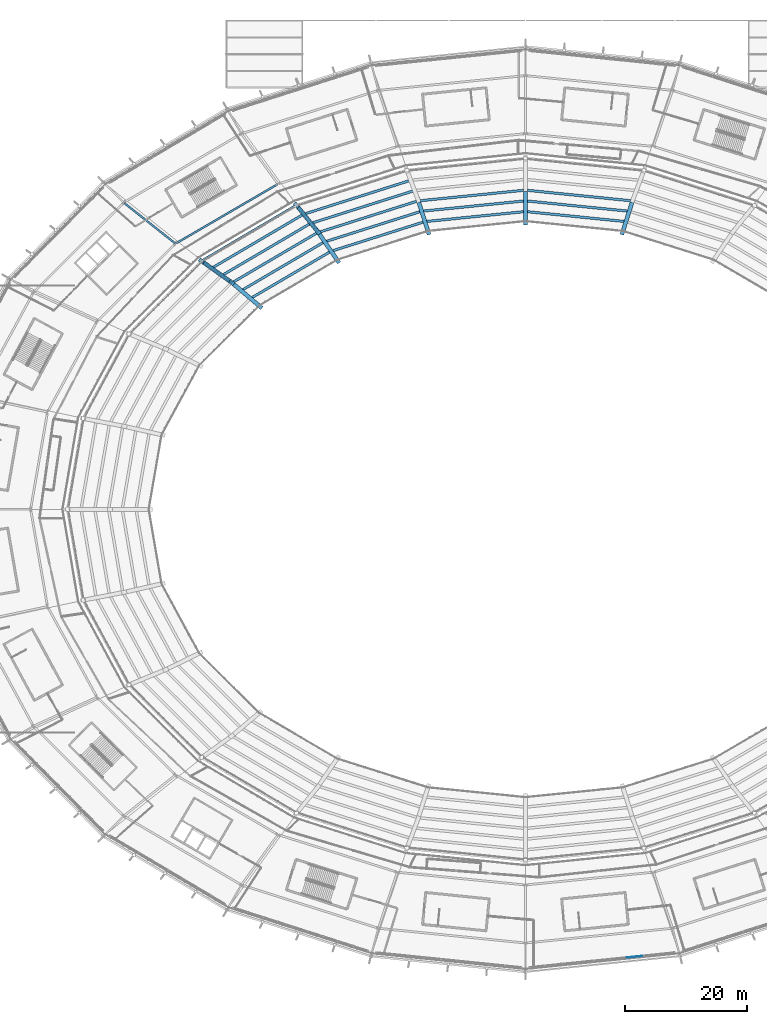
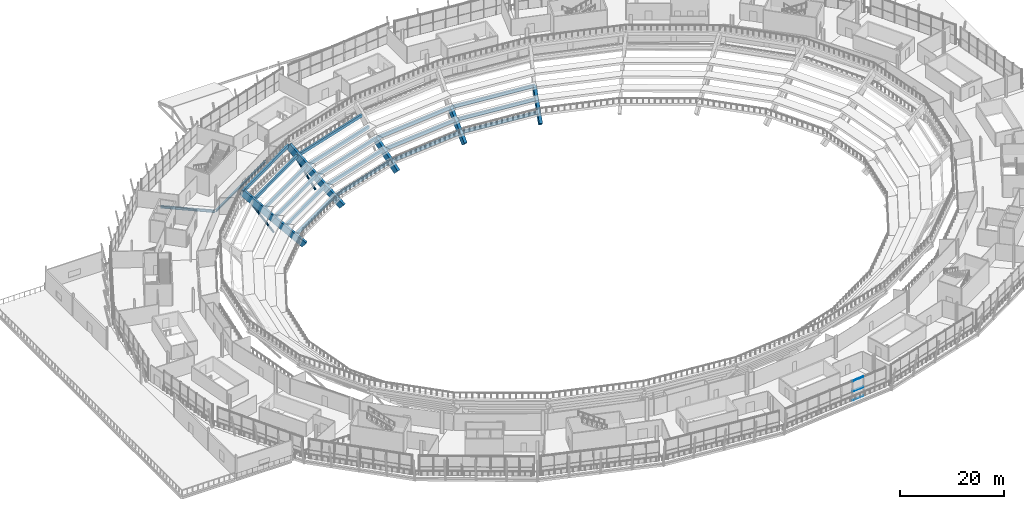
# One storey, part 34 of 126: 26 beams, 5 members, 1 element without a shape of its own.
"""IFC4 building model written with IfcOpenShell, lengths in metres."""

from ifc_helpers import new_model, si_unit, direction, frame, origin, origin_2d, place, context, subcontext, project, spatial, rectangle, hollow_circle, i_section, extrude, material, material_profile, profile_set, type_object, element, aggregate, save


model = new_model("IFC4")

# Units and contexts
model_context = context("Model", 3, precision=1e-05, world=origin(), true_north=direction((0.0, 1.0)))
body_context = subcontext(model_context, "Body", "Model", "MODEL_VIEW")
ifc_project = project(units=[si_unit("LENGTHUNIT", "METRE"), si_unit("AREAUNIT", "SQUARE_METRE"), si_unit("VOLUMEUNIT", "CUBIC_METRE"), si_unit("PLANEANGLEUNIT", "RADIAN"), si_unit("MASSUNIT", "GRAM", prefix="KILO")], contexts=[model_context])

# Site, building, storey
site_placement = place(None, origin())
site = spatial("IfcSite", under=ifc_project, at=site_placement, CompositionType="ELEMENT")
building_placement = place(site_placement, origin())
building = spatial("IfcBuilding", under=site, at=building_placement, Name="Zlatoyarsky Gate Stadium", CompositionType="ELEMENT")
storey_placement = place(building_placement, frame((0.0, 0.0, 20.800048828125)))
storey = spatial("IfcBuildingStorey", under=building, at=storey_placement, Name="L04", CompositionType="ELEMENT", Elevation=20.800048828125)

# Curtain wall, members
ifc_material_1 = material(Name="Thermally broken anodised aluminium curtain wall", Category="aluminium")
curtain_wall_type = type_object("IfcCurtainWallType", Name="MONUMENTAL ARCHED GATE GLAZING LOWER", PredefinedType="USERDEFINED", material=ifc_material_1)
curtain_wall_placement = place(storey_placement, origin())
curtain_wall = element("IfcCurtainWall", 1, at=curtain_wall_placement, inside=storey, type_object=curtain_wall_type, Name="Curtain wall CW-L04-18", ObjectType="ARCHED GATE GLAZING", PredefinedType="USERDEFINED")
ifc_material_2 = material(Name="Anodised aluminium 6063-T6", Category="aluminium")
ifc_material_profile_1 = material_profile(ifc_material_2, rectangle(XDim=0.074951171875, YDim=0.169921875, at=origin_2d()), Name="ALU 75X170")
ifc_profile_set_1 = profile_set([ifc_material_profile_1], Name="Anodised aluminium 6063-T6")
member_type_1 = type_object("IfcMemberType", Name="ALUMINIUM GATE TRANSOM 75X170", PredefinedType="USERDEFINED", material=ifc_profile_set_1)
member_1_placement = place(storey_placement, frame((127.57080078125, 6.617431640625, 0.037353515625), z_axis=(0.994847557941, 0.101382130869, 0.0), x_axis=(-0.101382130869, 0.994847557941, 0.0)))
member_1 = element("IfcMember", 2, at=member_1_placement, type_object=member_type_1, Name="CW-AG1 transom 7.1", ObjectType="TRANSOM", PredefinedType="USERDEFINED", context=body_context, shape_type="SweptSolid", body=[
    extrude(rectangle(XDim=0.074951171875, YDim=0.169921875, at=origin_2d()), origin(), (0.0, 0.0, 1.0), 2.58642578125),
])
member_2_placement = place(storey_placement, frame((127.57080078125, 6.617431640625, 2.14990234375), z_axis=(0.994847557941, 0.101382130869, 0.0), x_axis=(-0.101382130869, 0.994847557941, 0.0)))
member_2 = element("IfcMember", 3, at=member_2_placement, type_object=member_type_1, Name="CW-AG1 transom 7.2", ObjectType="TRANSOM", PredefinedType="USERDEFINED", context=body_context, shape_type="SweptSolid", body=[
    extrude(rectangle(XDim=0.074951171875, YDim=0.169921875, at=origin_2d()), origin(), (0.0, 0.0, 1.0), 2.58642578125),
])
member_3_placement = place(storey_placement, frame((127.57080078125, 6.617431640625, 4.58251953125), z_axis=(0.994847557941, 0.101382130869, 0.0), x_axis=(-0.101382130869, 0.994847557941, 0.0)))
member_3 = element("IfcMember", 4, at=member_3_placement, type_object=member_type_1, Name="CW-AG1 transom 7.3", ObjectType="TRANSOM", PredefinedType="USERDEFINED", context=body_context, shape_type="SweptSolid", body=[
    extrude(rectangle(XDim=0.074951171875, YDim=0.169921875, at=origin_2d()), origin(), (0.0, 0.0, 1.0), 2.58642578125),
])
aggregate(curtain_wall, [member_1, member_2, member_3])

# Beams
ifc_material_3 = material(Name="Concrete C40/50", Category="concrete")
ifc_material_profile_2 = material_profile(ifc_material_3, rectangle(XDim=0.39990234375, YDim=0.699951171875, at=origin_2d()), Name="RC BEAM 400X700")
ifc_profile_set_2 = profile_set([ifc_material_profile_2], Name="Concrete C40/50")
beam_type_1 = type_object("IfcBeamType", Name="CONCRETE FLOOR BEAM 400X700", PredefinedType="BEAM", material=ifc_profile_set_2)
beam_1_placement = place(storey_placement, frame((127.400146484375, 127.098876953125, -5.31005859375), z_axis=(-0.994970127488, 0.100172078976, 0.0), x_axis=(-0.100172078976, -0.994970127488, 0.0)))
element("IfcBeam", 5, at=beam_1_placement, inside=storey, type_object=beam_type_1, Name="Upper bowl step tie beam 05.1", PredefinedType="BEAM", context=body_context, shape_type="SweptSolid", body=[
    extrude(rectangle(XDim=0.39990234375, YDim=0.699951171875, at=origin_2d()), origin(), (0.0, 0.0, 1.0), 16.383056640625),
])
beam_2_placement = place(storey_placement, frame((127.982666015625, 128.789306640625, -3.41015625), z_axis=(-0.99496470381, 0.100225935632, 0.0), x_axis=(-0.100225935632, -0.99496470381, 0.0)))
element("IfcBeam", 6, at=beam_2_placement, inside=storey, type_object=beam_type_1, Name="Upper bowl step tie beam 05.2", PredefinedType="BEAM", context=body_context, shape_type="SweptSolid", body=[
    extrude(rectangle(XDim=0.39990234375, YDim=0.699951171875, at=origin_2d()), origin(), (0.0, 0.0, 1.0), 16.968505859375),
])
beam_3_placement = place(storey_placement, frame((128.56494140625, 130.4794921875, -1.510009765625), z_axis=(-0.994958111752, 0.100291354858, 0.0), x_axis=(-0.100291354858, -0.994958111752, 0.0)))
element("IfcBeam", 7, at=beam_3_placement, inside=storey, type_object=beam_type_1, Name="Upper bowl step tie beam 05.3", PredefinedType="BEAM", context=body_context, shape_type="SweptSolid", body=[
    extrude(rectangle(XDim=0.39990234375, YDim=0.699951171875, at=origin_2d()), origin(), (0.0, 0.0, 1.0), 17.553955078125),
])
beam_4_placement = place(storey_placement, frame((110.900390625, 128.739990234375, -5.31005859375), z_axis=(-0.994970127488, -0.100172078976, 0.0), x_axis=(0.100172078976, -0.994970127488, 0.0)))
element("IfcBeam", 8, at=beam_4_placement, inside=storey, type_object=beam_type_1, Name="Upper bowl step tie beam 06.1", PredefinedType="BEAM", context=body_context, shape_type="SweptSolid", body=[
    extrude(rectangle(XDim=0.39990234375, YDim=0.699951171875, at=origin_2d()), origin(), (0.0, 0.0, 1.0), 16.383056640625),
])
beam_5_placement = place(storey_placement, frame((110.900390625, 130.489990234375, -3.41015625), z_axis=(-0.99496470381, -0.100225935632, 0.0), x_axis=(0.100225935632, -0.99496470381, 0.0)))
element("IfcBeam", 9, at=beam_5_placement, inside=storey, type_object=beam_type_1, Name="Upper bowl step tie beam 06.2", PredefinedType="BEAM", context=body_context, shape_type="SweptSolid", body=[
    extrude(rectangle(XDim=0.39990234375, YDim=0.699951171875, at=origin_2d()), origin(), (0.0, 0.0, 1.0), 16.968505859375),
])
beam_6_placement = place(storey_placement, frame((110.900390625, 132.239990234375, -1.510009765625), z_axis=(-0.994958111752, -0.100291354858, 0.0), x_axis=(0.100291354858, -0.994958111752, 0.0)))
element("IfcBeam", 10, at=beam_6_placement, inside=storey, type_object=beam_type_1, Name="Upper bowl step tie beam 06.3", PredefinedType="BEAM", context=body_context, shape_type="SweptSolid", body=[
    extrude(rectangle(XDim=0.39990234375, YDim=0.699951171875, at=origin_2d()), origin(), (0.0, 0.0, 1.0), 17.553955078125),
])
beam_7_placement = place(storey_placement, frame((94.405029296875, 127.05859375, -5.31005859375), z_axis=(-0.953318916024, -0.301965303223, 0.0), x_axis=(0.301965303223, -0.953318916024, 0.0)))
element("IfcBeam", 11, at=beam_7_placement, inside=storey, type_object=beam_type_1, Name="Upper bowl step tie beam 07.1", PredefinedType="BEAM", context=body_context, shape_type="SweptSolid", body=[
    extrude(rectangle(XDim=0.39990234375, YDim=0.699951171875, at=origin_2d()), origin(), (0.0, 0.0, 1.0), 15.928466796875),
])
beam_8_placement = place(storey_placement, frame((93.822509765625, 128.7490234375, -3.41015625), z_axis=(-0.953267025666, -0.302129074699, 0.0), x_axis=(0.302129074699, -0.953267025666, 0.0)))
element("IfcBeam", 12, at=beam_8_placement, inside=storey, type_object=beam_type_1, Name="Upper bowl step tie beam 07.2", PredefinedType="BEAM", context=body_context, shape_type="SweptSolid", body=[
    extrude(rectangle(XDim=0.39990234375, YDim=0.699951171875, at=origin_2d()), origin(), (0.0, 0.0, 1.0), 16.498291015625),
])
beam_9_placement = place(storey_placement, frame((93.240234375, 130.439453125, -1.510009765625), z_axis=(-0.953219882342, -0.302277779381, 0.0), x_axis=(0.302277779381, -0.953219882342, 0.0)))
element("IfcBeam", 13, at=beam_9_placement, inside=storey, type_object=beam_type_1, Name="Upper bowl step tie beam 07.3", PredefinedType="BEAM", context=body_context, shape_type="SweptSolid", body=[
    extrude(rectangle(XDim=0.39990234375, YDim=0.699951171875, at=origin_2d()), origin(), (0.0, 0.0, 1.0), 17.068603515625),
])
beam_10_placement = place(storey_placement, frame((92.657958984375, 132.1298828125, 0.389892578125), z_axis=(-0.953175765869, -0.302416863551, 0.0), x_axis=(0.302416863551, -0.953175765869, 0.0)))
element("IfcBeam", 14, at=beam_10_placement, inside=storey, type_object=beam_type_1, Name="Upper bowl step tie beam 07.4", PredefinedType="BEAM", context=body_context, shape_type="SweptSolid", body=[
    extrude(rectangle(XDim=0.39990234375, YDim=0.699951171875, at=origin_2d()), origin(), (0.0, 0.0, 1.0), 17.638671875),
])
beam_11_placement = place(storey_placement, frame((92.07568359375, 133.820068359375, 2.2900390625), z_axis=(-0.953138260142, -0.302535050949, 0.0), x_axis=(0.302535050949, -0.953138260142, 0.0)))
element("IfcBeam", 15, at=beam_11_placement, inside=storey, type_object=beam_type_1, Name="Upper bowl step tie beam 07.5", PredefinedType="BEAM", context=body_context, shape_type="SweptSolid", body=[
    extrude(rectangle(XDim=0.39990234375, YDim=0.699951171875, at=origin_2d()), origin(), (0.0, 0.0, 1.0), 18.208740234375),
])
beam_12_placement = place(storey_placement, frame((79.038818359375, 122.168212890625, -5.31005859375), z_axis=(-0.862487853055, -0.506077764117, 0.0), x_axis=(0.506077764117, -0.862487853055, 0.0)))
element("IfcBeam", 16, at=beam_12_placement, inside=storey, type_object=beam_type_1, Name="Upper bowl step tie beam 08.1", PredefinedType="BEAM", context=body_context, shape_type="SweptSolid", body=[
    extrude(rectangle(XDim=0.39990234375, YDim=0.699951171875, at=origin_2d()), origin(), (0.0, 0.0, 1.0), 15.1083984375),
])
beam_13_placement = place(storey_placement, frame((77.913818359375, 123.68359375, -3.41015625), z_axis=(-0.862355376673, -0.506303470581, 0.0), x_axis=(0.506303470581, -0.862355376673, 0.0)))
element("IfcBeam", 17, at=beam_13_placement, inside=storey, type_object=beam_type_1, Name="Upper bowl step tie beam 08.2", PredefinedType="BEAM", context=body_context, shape_type="SweptSolid", body=[
    extrude(rectangle(XDim=0.39990234375, YDim=0.699951171875, at=origin_2d()), origin(), (0.0, 0.0, 1.0), 15.65087890625),
])
beam_14_placement = place(storey_placement, frame((76.788818359375, 125.19921875, -1.510009765625), z_axis=(-0.862235591154, -0.50650743859, 0.0), x_axis=(0.50650743859, -0.862235591154, 0.0)))
element("IfcBeam", 18, at=beam_14_placement, inside=storey, type_object=beam_type_1, Name="Upper bowl step tie beam 08.3", PredefinedType="BEAM", context=body_context, shape_type="SweptSolid", body=[
    extrude(rectangle(XDim=0.39990234375, YDim=0.699951171875, at=origin_2d()), origin(), (0.0, 0.0, 1.0), 16.193603515625),
])
beam_15_placement = place(storey_placement, frame((75.663818359375, 126.714599609375, 0.389892578125), z_axis=(-0.862129902882, -0.506687310435, 0.0), x_axis=(0.506687310435, -0.862129902882, 0.0)))
element("IfcBeam", 19, at=beam_15_placement, inside=storey, type_object=beam_type_1, Name="Upper bowl step tie beam 08.4", PredefinedType="BEAM", context=body_context, shape_type="SweptSolid", body=[
    extrude(rectangle(XDim=0.39990234375, YDim=0.699951171875, at=origin_2d()), origin(), (0.0, 0.0, 1.0), 16.736083984375),
])
beam_16_placement = place(storey_placement, frame((74.538818359375, 128.230224609375, 2.2900390625), z_axis=(-0.862014840694, -0.506883038209, 0.0), x_axis=(0.506883038209, -0.862014840694, 0.0)))
element("IfcBeam", 20, at=beam_16_placement, inside=storey, type_object=beam_type_1, Name="Upper bowl step tie beam 08.5", PredefinedType="BEAM", context=body_context, shape_type="SweptSolid", body=[
    extrude(rectangle(XDim=0.39990234375, YDim=0.699951171875, at=origin_2d()), origin(), (0.0, 0.0, 1.0), 17.27880859375),
])
beam_17_placement = place(storey_placement, frame((73.413818359375, 129.745849609375, 4.18994140625), z_axis=(-0.861910267073, -0.507060836108, 0.0), x_axis=(0.507060836108, -0.861910267073, 0.0)))
element("IfcBeam", 21, at=beam_17_placement, inside=storey, type_object=beam_type_1, Name="Upper bowl step tie beam 08.6", PredefinedType="BEAM", context=body_context, shape_type="SweptSolid", body=[
    extrude(rectangle(XDim=0.39990234375, YDim=0.699951171875, at=origin_2d()), origin(), (0.0, 0.0, 1.0), 17.821533203125),
])
ifc_material_4 = material(Name="Precast concrete C40/50", Category="concrete")
ifc_material_profile_3 = material_profile(ifc_material_4, rectangle(XDim=0.64990234375, YDim=1.35009765625, at=origin_2d()), Name="PC RAKER 650X1350")
ifc_profile_set_3 = profile_set([ifc_material_profile_3], Name="Precast concrete C40/50")
beam_type_2 = type_object("IfcBeamType", Name="PRECAST UPPER BOWL RAKER 650X1350", PredefinedType="USERDEFINED", material=ifc_profile_set_3)
beam_18_placement = place(storey_placement, frame((126.91748046875, 125.3984375, -6.949951171875), z_axis=(0.220102487858, 0.695159686253, 0.684330260508), x_axis=(-0.953354623254, 0.301852550628, 0.0)))
element("IfcBeam", 22, at=beam_18_placement, inside=storey, type_object=beam_type_2, Name="Upper bowl radial raker 05 inner", ObjectType="RAKER", PredefinedType="USERDEFINED", context=body_context, shape_type="SweptSolid", body=[
    extrude(rectangle(XDim=0.64990234375, YDim=1.35009765625, at=origin_2d()), origin(), (0.0, 0.0, 1.0), 7.642578125),
])
beam_19_placement = place(storey_placement, frame((111.0, 127.0, -6.949951171875), z_axis=(0.0, 0.724671673189, 0.689094308551), x_axis=(-1.0, 0.0, 0.0)))
element("IfcBeam", 23, at=beam_19_placement, inside=storey, type_object=beam_type_2, Name="Upper bowl radial raker 06 inner", ObjectType="RAKER", PredefinedType="USERDEFINED", context=body_context, shape_type="SweptSolid", body=[
    extrude(rectangle(XDim=0.64990234375, YDim=1.35009765625, at=origin_2d()), origin(), (0.0, 0.0, 1.0), 7.589599609375),
])
beam_20_placement = place(storey_placement, frame((95.08251953125, 125.3984375, -6.949951171875), z_axis=(-0.220102487858, 0.695159686253, 0.684330260508), x_axis=(-0.953354623254, -0.301852550628, 0.0)))
element("IfcBeam", 24, at=beam_20_placement, inside=storey, type_object=beam_type_2, Name="Upper bowl radial raker 07 inner", ObjectType="RAKER", PredefinedType="USERDEFINED", context=body_context, shape_type="SweptSolid", body=[
    extrude(rectangle(XDim=0.64990234375, YDim=1.35009765625, at=origin_2d()), origin(), (0.0, 0.0, 1.0), 7.642578125),
])
beam_21_placement = place(storey_placement, frame((80.25, 120.703125, -6.949951171875), z_axis=(-0.417480208866, 0.611856886642, 0.671819488757), x_axis=(-0.826035604604, -0.563617937903, 0.0)))
element("IfcBeam", 25, at=beam_21_placement, inside=storey, type_object=beam_type_2, Name="Upper bowl radial raker 08 inner", ObjectType="RAKER", PredefinedType="USERDEFINED", context=body_context, shape_type="SweptSolid", body=[
    extrude(rectangle(XDim=0.64990234375, YDim=1.35009765625, at=origin_2d()), origin(), (0.0, 0.0, 1.0), 7.784912109375),
])
beam_22_placement = place(storey_placement, frame((77.0, 125.46630859375, -1.719970703125), z_axis=(-0.431059857301, 0.533292245333, 0.727864534437), x_axis=(-0.777710300861, -0.628622850312, 0.0)))
element("IfcBeam", 26, at=beam_22_placement, inside=storey, type_object=beam_type_2, Name="Upper bowl radial raker 08 outer", ObjectType="RAKER", PredefinedType="USERDEFINED", context=body_context, shape_type="SweptSolid", body=[
    extrude(rectangle(XDim=0.64990234375, YDim=1.35009765625, at=origin_2d()), origin(), (0.0, 0.0, 1.0), 8.11962890625),
])
beam_23_placement = place(storey_placement, frame((67.512939453125, 113.23388671875, -6.949951171875), z_axis=(-0.576313103177, 0.487658968108, 0.655783453535), x_axis=(-0.645949512336, -0.763380133035, 0.0)))
element("IfcBeam", 27, at=beam_23_placement, inside=storey, type_object=beam_type_2, Name="Upper bowl radial raker 09 inner", ObjectType="RAKER", PredefinedType="USERDEFINED", context=body_context, shape_type="SweptSolid", body=[
    extrude(rectangle(XDim=0.64990234375, YDim=1.35009765625, at=origin_2d()), origin(), (0.0, 0.0, 1.0), 7.97509765625),
])
beam_24_placement = place(storey_placement, frame((62.916748046875, 117.123046875, -1.719970703125), z_axis=(-0.583622710391, 0.41688981414, 0.696841025473), x_axis=(-0.581253380312, -0.813722623426, 0.0)))
element("IfcBeam", 28, at=beam_24_placement, inside=storey, type_object=beam_type_2, Name="Upper bowl radial raker 09 outer", ObjectType="RAKER", PredefinedType="USERDEFINED", context=body_context, shape_type="SweptSolid", body=[
    extrude(rectangle(XDim=0.64990234375, YDim=1.35009765625, at=origin_2d()), origin(), (0.0, 0.0, 1.0), 8.48095703125),
])

# Members
ifc_material_5 = material(Name="Steel S355", Category="steel")
ifc_material_profile_4 = material_profile(ifc_material_5, hollow_circle(Radius=0.228515625, WallThickness=0.02490234375, at=origin_2d()), Name="CHS 457X25")
ifc_profile_set_4 = profile_set([ifc_material_profile_4], Name="Steel S355")
member_type_2 = type_object("IfcMemberType", Name="STEEL BACKSPAN TIE STRUT CHS 457X25", PredefinedType="STRUT", material=ifc_profile_set_4)
member_4_placement = place(storey_placement, frame((77.0, 125.46630859375, -4.85009765625), z_axis=(-0.329658233585, 0.407841687421, 0.851463802538), x_axis=(-0.777710300861, -0.628622850312, 0.0)))
element("IfcMember", 29, at=member_4_placement, inside=storey, type_object=member_type_2, Name="Upper tier outer raker prop strut 08", PredefinedType="STRUT", context=body_context, shape_type="SweptSolid", body=[
    extrude(hollow_circle(Radius=0.228515625, WallThickness=0.02490234375, at=origin_2d()), origin(), (0.0, 0.0, 1.0), 10.616943359375),
])
member_5_placement = place(storey_placement, frame((62.916748046875, 117.123046875, -4.85009765625), z_axis=(-0.454268510955, 0.324490311515, 0.829666292968), x_axis=(-0.581253380312, -0.813722623426, 0.0)))
element("IfcMember", 30, at=member_5_placement, inside=storey, type_object=member_type_2, Name="Upper tier outer raker prop strut 09", PredefinedType="STRUT", context=body_context, shape_type="SweptSolid", body=[
    extrude(hollow_circle(Radius=0.228515625, WallThickness=0.02490234375, at=origin_2d()), origin(), (0.0, 0.0, 1.0), 10.89599609375),
])

# Beams
ifc_material_profile_5 = material_profile(ifc_material_5, i_section(OverallWidth=0.300048828125, OverallDepth=0.5, WebThickness=0.014404296875, FlangeThickness=0.028076171875, FilletRadius=0.027099609375, at=origin_2d()), Name="HEB 500")
ifc_profile_set_5 = profile_set([ifc_material_profile_5], Name="Steel S355")
beam_type_3 = type_object("IfcBeamType", Name="STEEL PRIMARY GIRDER HEB 500", PredefinedType="BEAM", material=ifc_profile_set_5)
beam_25_placement = place(storey_placement, frame((70.396240234375, 133.2001953125, -0.550048828125), z_axis=(-0.864054462945, -0.503398336375, 0.0), x_axis=(0.503398336375, -0.864054462945, 0.0)))
element("IfcBeam", 31, at=beam_25_placement, inside=storey, type_object=beam_type_3, Name="Beam G-HEB500 BM-L04-CRB-08", PredefinedType="BEAM", context=body_context, shape_type="SweptSolid", body=[
    extrude(i_section(OverallWidth=0.300048828125, OverallDepth=0.5, WebThickness=0.014404296875, FlangeThickness=0.028076171875, FilletRadius=0.027099609375, at=origin_2d()), origin(), (0.0, 0.0, 1.0), 19.1748046875),
])
ifc_material_profile_6 = material_profile(ifc_material_5, i_section(OverallWidth=0.300048828125, OverallDepth=0.60009765625, WebThickness=0.015380859375, FlangeThickness=0.030029296875, FilletRadius=0.027099609375, at=origin_2d()), Name="HEB 600")
ifc_profile_set_6 = profile_set([ifc_material_profile_6], Name="Steel S355")
beam_type_4 = type_object("IfcBeamType", Name="STEEL PRIMARY GIRDER HEB 600", PredefinedType="BEAM", material=ifc_profile_set_6)
beam_26_placement = place(storey_placement, frame((53.63037109375, 123.5615234375, -0.60009765625), z_axis=(-0.78404348542, 0.620705898933, 0.0), x_axis=(-0.620705898933, -0.78404348542, 0.0)))
element("IfcBeam", 32, at=beam_26_placement, inside=storey, type_object=beam_type_4, Name="Beam G-HEB600 BM-L04-RBC-09", PredefinedType="BEAM", context=body_context, shape_type="SweptSolid", body=[
    extrude(i_section(OverallWidth=0.300048828125, OverallDepth=0.60009765625, WebThickness=0.015380859375, FlangeThickness=0.030029296875, FilletRadius=0.027099609375, at=origin_2d()), origin(), (0.0, 0.0, 1.0), 10.58251953125),
])

save(model, "model.ifc")
